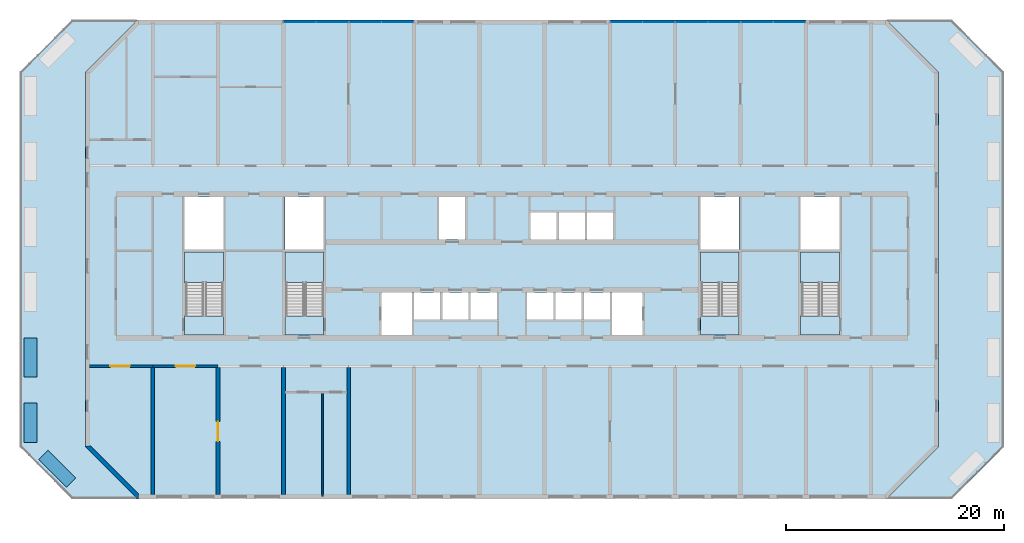
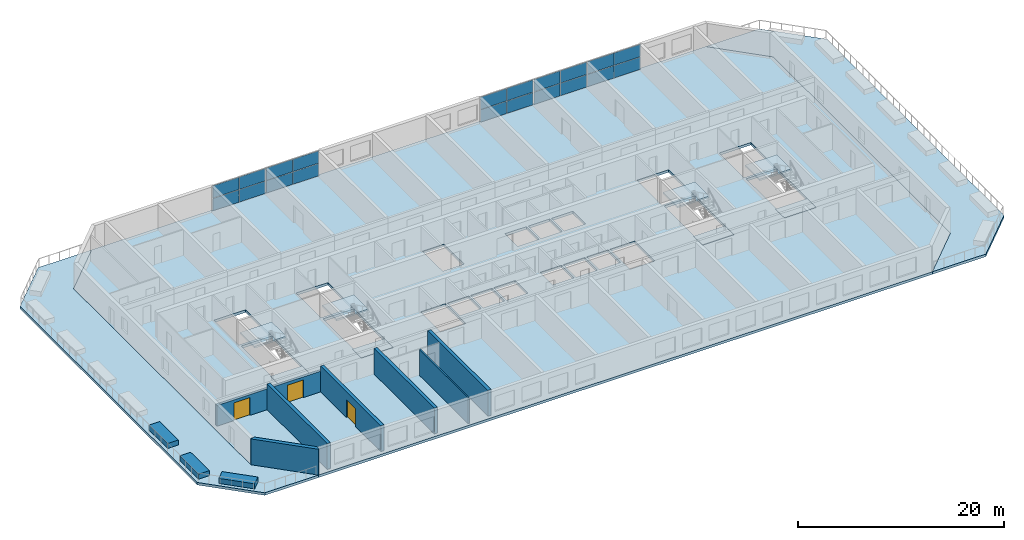
# One storey, part 6 of 18: 20 plates, 11 slabs, 11 walls, 3 doors, 3 openings, 9 elements without a shape of their own.
"""IFC4 building model written with IfcOpenShell, lengths in metres."""

from ifc_helpers import new_model, si_unit, direction, frame, frame_2d, origin, origin_2d, place, context, subcontext, project, spatial, polyline, rectangle, outline, extrude, source, transform, mapped, material, layer, layer_set, type_object, element, fill, aggregate, save


model = new_model("IFC4")

# Units and contexts
model_context = context("Model", 3, precision=1e-05, world=origin(), true_north=direction((0.0, 1.0)))
body_context = subcontext(model_context, "Body", "Model", "MODEL_VIEW")
ifc_project = project(units=[si_unit("LENGTHUNIT", "METRE"), si_unit("AREAUNIT", "SQUARE_METRE"), si_unit("VOLUMEUNIT", "CUBIC_METRE"), si_unit("PLANEANGLEUNIT", "RADIAN"), si_unit("MASSUNIT", "GRAM", prefix="KILO")], contexts=[model_context])

# Site, building, storey
site_placement = place(None, origin())
site = spatial("IfcSite", under=ifc_project, at=site_placement, CompositionType="ELEMENT")
building_placement = place(site_placement, origin())
building = spatial("IfcBuilding", under=site, at=building_placement, Name="Poui Terraces", CompositionType="ELEMENT")
storey_placement = place(building_placement, frame((0.0, 0.0, 105.89990234375)))
storey = spatial("IfcBuildingStorey", under=building, at=storey_placement, Name="L29", CompositionType="ELEMENT", Elevation=105.89990234375)

# Curtain wall, plates
ifc_material_1 = material(Name="Clear glass", Category="glass")
ifc_layer_1 = layer(ifc_material_1, 0.14990234375)
ifc_layer_set_1 = layer_set([ifc_layer_1], Name="Clear glass")
curtain_wall_type = type_object("IfcCurtainWallType", Name="CURTAIN WALL CW-C COMMUNITY HALL GLAZING", PredefinedType="NOTDEFINED", material=ifc_layer_set_1)
curtain_wall_1_placement = place(storey_placement, origin())
curtain_wall_1 = element("IfcCurtainWall", 1, at=curtain_wall_1_placement, inside=storey, type_object=curtain_wall_type, Name="CW-C COMMUNITY HALL GLAZING", PredefinedType="NOTDEFINED")
ifc_layer_2 = layer(ifc_material_1, 0.052001953125)
ifc_layer_set_2 = layer_set([ifc_layer_2], Name="Clear glass")
plate_type = type_object("IfcPlateType", Name="CW-C GLASS PANEL 52", PredefinedType="CURTAIN_PANEL", material=ifc_layer_set_2)
plate_1_placement = place(storey_placement, frame((34.487548828125, 43.60009765625, 0.050048828125), z_axis=(0.0, 0.0, 1.0), x_axis=(-1.0, 0.0, 0.0)))
plate_1 = element("IfcPlate", 2, at=plate_1_placement, type_object=plate_type, Name="CW-C panel 1.1", PredefinedType="CURTAIN_PANEL", context=body_context, shape_type="SweptSolid", body=[
    extrude(rectangle(XDim=2.925048828125, YDim=0.052001953125, at=origin_2d()), origin(), (0.0, 0.0, 1.0), 1.455078125),
])
plate_2_placement = place(storey_placement, frame((34.487548828125, 43.60009765625, 1.55517578125), z_axis=(0.0, 0.0, 1.0), x_axis=(-1.0, 0.0, 0.0)))
plate_2 = element("IfcPlate", 3, at=plate_2_placement, type_object=plate_type, Name="CW-C panel 1.2", PredefinedType="CURTAIN_PANEL", context=body_context, shape_type="SweptSolid", body=[
    extrude(rectangle(XDim=2.925048828125, YDim=0.052001953125, at=origin_2d()), origin(), (0.0, 0.0, 1.0), 1.455078125),
])
plate_3_placement = place(storey_placement, frame((31.512451171875, 43.60009765625, 0.050048828125), z_axis=(0.0, 0.0, 1.0), x_axis=(-1.0, 0.0, 0.0)))
plate_3 = element("IfcPlate", 4, at=plate_3_placement, type_object=plate_type, Name="CW-C panel 2.1", PredefinedType="CURTAIN_PANEL", context=body_context, shape_type="SweptSolid", body=[
    extrude(rectangle(XDim=2.925048828125, YDim=0.052001953125, at=origin_2d()), origin(), (0.0, 0.0, 1.0), 1.455078125),
])
plate_4_placement = place(storey_placement, frame((31.512451171875, 43.60009765625, 1.55517578125), z_axis=(0.0, 0.0, 1.0), x_axis=(-1.0, 0.0, 0.0)))
plate_4 = element("IfcPlate", 5, at=plate_4_placement, type_object=plate_type, Name="CW-C panel 2.2", PredefinedType="CURTAIN_PANEL", context=body_context, shape_type="SweptSolid", body=[
    extrude(rectangle(XDim=2.925048828125, YDim=0.052001953125, at=origin_2d()), origin(), (0.0, 0.0, 1.0), 1.455078125),
])
aggregate(curtain_wall_1, [plate_1, plate_2, plate_3, plate_4])

curtain_wall_2_placement = place(storey_placement, origin())
curtain_wall_2 = element("IfcCurtainWall", 6, at=curtain_wall_2_placement, inside=storey, type_object=curtain_wall_type, Name="CW-C COMMUNITY HALL GLAZING", PredefinedType="NOTDEFINED")
plate_5_placement = place(storey_placement, frame((40.487548828125, 43.60009765625, 0.050048828125), z_axis=(0.0, 0.0, 1.0), x_axis=(-1.0, 0.0, 0.0)))
plate_5 = element("IfcPlate", 7, at=plate_5_placement, type_object=plate_type, Name="CW-C panel 1.1", PredefinedType="CURTAIN_PANEL", context=body_context, shape_type="SweptSolid", body=[
    extrude(rectangle(XDim=2.925048828125, YDim=0.052001953125, at=origin_2d()), origin(), (0.0, 0.0, 1.0), 1.455078125),
])
plate_6_placement = place(storey_placement, frame((40.487548828125, 43.60009765625, 1.55517578125), z_axis=(0.0, 0.0, 1.0), x_axis=(-1.0, 0.0, 0.0)))
plate_6 = element("IfcPlate", 8, at=plate_6_placement, type_object=plate_type, Name="CW-C panel 1.2", PredefinedType="CURTAIN_PANEL", context=body_context, shape_type="SweptSolid", body=[
    extrude(rectangle(XDim=2.925048828125, YDim=0.052001953125, at=origin_2d()), origin(), (0.0, 0.0, 1.0), 1.455078125),
])
plate_7_placement = place(storey_placement, frame((37.512451171875, 43.60009765625, 0.050048828125), z_axis=(0.0, 0.0, 1.0), x_axis=(-1.0, 0.0, 0.0)))
plate_7 = element("IfcPlate", 9, at=plate_7_placement, type_object=plate_type, Name="CW-C panel 2.1", PredefinedType="CURTAIN_PANEL", context=body_context, shape_type="SweptSolid", body=[
    extrude(rectangle(XDim=2.925048828125, YDim=0.052001953125, at=origin_2d()), origin(), (0.0, 0.0, 1.0), 1.455078125),
])
plate_8_placement = place(storey_placement, frame((37.512451171875, 43.60009765625, 1.55517578125), z_axis=(0.0, 0.0, 1.0), x_axis=(-1.0, 0.0, 0.0)))
plate_8 = element("IfcPlate", 10, at=plate_8_placement, type_object=plate_type, Name="CW-C panel 2.2", PredefinedType="CURTAIN_PANEL", context=body_context, shape_type="SweptSolid", body=[
    extrude(rectangle(XDim=2.925048828125, YDim=0.052001953125, at=origin_2d()), origin(), (0.0, 0.0, 1.0), 1.455078125),
])
aggregate(curtain_wall_2, [plate_5, plate_6, plate_7, plate_8])

curtain_wall_3_placement = place(storey_placement, origin())
curtain_wall_3 = element("IfcCurtainWall", 11, at=curtain_wall_3_placement, inside=storey, type_object=curtain_wall_type, Name="CW-C COMMUNITY HALL GLAZING", PredefinedType="NOTDEFINED")
plate_9_placement = place(storey_placement, frame((64.487548828125, 43.60009765625, 0.050048828125), z_axis=(0.0, 0.0, 1.0), x_axis=(-1.0, 0.0, 0.0)))
plate_9 = element("IfcPlate", 12, at=plate_9_placement, type_object=plate_type, Name="CW-C panel 1.1", PredefinedType="CURTAIN_PANEL", context=body_context, shape_type="SweptSolid", body=[
    extrude(rectangle(XDim=2.925048828125, YDim=0.052001953125, at=origin_2d()), origin(), (0.0, 0.0, 1.0), 1.455078125),
])
plate_10_placement = place(storey_placement, frame((64.487548828125, 43.60009765625, 1.55517578125), z_axis=(0.0, 0.0, 1.0), x_axis=(-1.0, 0.0, 0.0)))
plate_10 = element("IfcPlate", 13, at=plate_10_placement, type_object=plate_type, Name="CW-C panel 1.2", PredefinedType="CURTAIN_PANEL", context=body_context, shape_type="SweptSolid", body=[
    extrude(rectangle(XDim=2.925048828125, YDim=0.052001953125, at=origin_2d()), origin(), (0.0, 0.0, 1.0), 1.455078125),
])
plate_11_placement = place(storey_placement, frame((61.512451171875, 43.60009765625, 0.050048828125), z_axis=(0.0, 0.0, 1.0), x_axis=(-1.0, 0.0, 0.0)))
plate_11 = element("IfcPlate", 14, at=plate_11_placement, type_object=plate_type, Name="CW-C panel 2.1", PredefinedType="CURTAIN_PANEL", context=body_context, shape_type="SweptSolid", body=[
    extrude(rectangle(XDim=2.925048828125, YDim=0.052001953125, at=origin_2d()), origin(), (0.0, 0.0, 1.0), 1.455078125),
])
plate_12_placement = place(storey_placement, frame((61.512451171875, 43.60009765625, 1.55517578125), z_axis=(0.0, 0.0, 1.0), x_axis=(-1.0, 0.0, 0.0)))
plate_12 = element("IfcPlate", 15, at=plate_12_placement, type_object=plate_type, Name="CW-C panel 2.2", PredefinedType="CURTAIN_PANEL", context=body_context, shape_type="SweptSolid", body=[
    extrude(rectangle(XDim=2.925048828125, YDim=0.052001953125, at=origin_2d()), origin(), (0.0, 0.0, 1.0), 1.455078125),
])
aggregate(curtain_wall_3, [plate_9, plate_10, plate_11, plate_12])

curtain_wall_4_placement = place(storey_placement, origin())
curtain_wall_4 = element("IfcCurtainWall", 16, at=curtain_wall_4_placement, inside=storey, type_object=curtain_wall_type, Name="CW-C COMMUNITY HALL GLAZING", PredefinedType="NOTDEFINED")
plate_13_placement = place(storey_placement, frame((70.487548828125, 43.60009765625, 0.050048828125), z_axis=(0.0, 0.0, 1.0), x_axis=(-1.0, 0.0, 0.0)))
plate_13 = element("IfcPlate", 17, at=plate_13_placement, type_object=plate_type, Name="CW-C panel 1.1", PredefinedType="CURTAIN_PANEL", context=body_context, shape_type="SweptSolid", body=[
    extrude(rectangle(XDim=2.925048828125, YDim=0.052001953125, at=origin_2d()), origin(), (0.0, 0.0, 1.0), 1.455078125),
])
plate_14_placement = place(storey_placement, frame((70.487548828125, 43.60009765625, 1.55517578125), z_axis=(0.0, 0.0, 1.0), x_axis=(-1.0, 0.0, 0.0)))
plate_14 = element("IfcPlate", 18, at=plate_14_placement, type_object=plate_type, Name="CW-C panel 1.2", PredefinedType="CURTAIN_PANEL", context=body_context, shape_type="SweptSolid", body=[
    extrude(rectangle(XDim=2.925048828125, YDim=0.052001953125, at=origin_2d()), origin(), (0.0, 0.0, 1.0), 1.455078125),
])
plate_15_placement = place(storey_placement, frame((67.512451171875, 43.60009765625, 0.050048828125), z_axis=(0.0, 0.0, 1.0), x_axis=(-1.0, 0.0, 0.0)))
plate_15 = element("IfcPlate", 19, at=plate_15_placement, type_object=plate_type, Name="CW-C panel 2.1", PredefinedType="CURTAIN_PANEL", context=body_context, shape_type="SweptSolid", body=[
    extrude(rectangle(XDim=2.925048828125, YDim=0.052001953125, at=origin_2d()), origin(), (0.0, 0.0, 1.0), 1.455078125),
])
plate_16_placement = place(storey_placement, frame((67.512451171875, 43.60009765625, 1.55517578125), z_axis=(0.0, 0.0, 1.0), x_axis=(-1.0, 0.0, 0.0)))
plate_16 = element("IfcPlate", 20, at=plate_16_placement, type_object=plate_type, Name="CW-C panel 2.2", PredefinedType="CURTAIN_PANEL", context=body_context, shape_type="SweptSolid", body=[
    extrude(rectangle(XDim=2.925048828125, YDim=0.052001953125, at=origin_2d()), origin(), (0.0, 0.0, 1.0), 1.455078125),
])
aggregate(curtain_wall_4, [plate_13, plate_14, plate_15, plate_16])

curtain_wall_5_placement = place(storey_placement, origin())
curtain_wall_5 = element("IfcCurtainWall", 21, at=curtain_wall_5_placement, inside=storey, type_object=curtain_wall_type, Name="CW-C COMMUNITY HALL GLAZING", PredefinedType="NOTDEFINED")
plate_17_placement = place(storey_placement, frame((76.487548828125, 43.60009765625, 0.050048828125), z_axis=(0.0, 0.0, 1.0), x_axis=(-1.0, 0.0, 0.0)))
plate_17 = element("IfcPlate", 22, at=plate_17_placement, type_object=plate_type, Name="CW-C panel 1.1", PredefinedType="CURTAIN_PANEL", context=body_context, shape_type="SweptSolid", body=[
    extrude(rectangle(XDim=2.925048828125, YDim=0.052001953125, at=origin_2d()), origin(), (0.0, 0.0, 1.0), 1.455078125),
])
plate_18_placement = place(storey_placement, frame((76.487548828125, 43.60009765625, 1.55517578125), z_axis=(0.0, 0.0, 1.0), x_axis=(-1.0, 0.0, 0.0)))
plate_18 = element("IfcPlate", 23, at=plate_18_placement, type_object=plate_type, Name="CW-C panel 1.2", PredefinedType="CURTAIN_PANEL", context=body_context, shape_type="SweptSolid", body=[
    extrude(rectangle(XDim=2.925048828125, YDim=0.052001953125, at=origin_2d()), origin(), (0.0, 0.0, 1.0), 1.455078125),
])
plate_19_placement = place(storey_placement, frame((73.512451171875, 43.60009765625, 0.050048828125), z_axis=(0.0, 0.0, 1.0), x_axis=(-1.0, 0.0, 0.0)))
plate_19 = element("IfcPlate", 24, at=plate_19_placement, type_object=plate_type, Name="CW-C panel 2.1", PredefinedType="CURTAIN_PANEL", context=body_context, shape_type="SweptSolid", body=[
    extrude(rectangle(XDim=2.925048828125, YDim=0.052001953125, at=origin_2d()), origin(), (0.0, 0.0, 1.0), 1.455078125),
])
plate_20_placement = place(storey_placement, frame((73.512451171875, 43.60009765625, 1.55517578125), z_axis=(0.0, 0.0, 1.0), x_axis=(-1.0, 0.0, 0.0)))
plate_20 = element("IfcPlate", 25, at=plate_20_placement, type_object=plate_type, Name="CW-C panel 2.2", PredefinedType="CURTAIN_PANEL", context=body_context, shape_type="SweptSolid", body=[
    extrude(rectangle(XDim=2.925048828125, YDim=0.052001953125, at=origin_2d()), origin(), (0.0, 0.0, 1.0), 1.455078125),
])
aggregate(curtain_wall_5, [plate_17, plate_18, plate_19, plate_20])

# Stair, slabs
ifc_material_2 = material(Name="Concrete 65 MPa", Category="concrete")
stair_type = type_object("IfcStairType", Name="EXIT STAIR 1650 65 MPA", PredefinedType="HALF_TURN_STAIR", material=ifc_material_2)
stair_1_placement = place(storey_placement, origin())
stair_1 = element("IfcStair", 26, at=stair_1_placement, inside=storey, type_object=stair_type, Name="L29 CORE STAIR EAST", PredefinedType="HALF_TURN_STAIR")
ifc_layer_3 = layer(ifc_material_2, 0.199951171875)
ifc_layer_set_3 = layer_set([ifc_layer_3], Name="Concrete 65 MPa")
slab_type_1 = type_object("IfcSlabType", Name="STAIR LANDING 200 65 MPA", PredefinedType="LANDING", material=ifc_layer_set_3)
slab_1_placement = place(storey_placement, frame((0.0, 0.0, 1.449951171875)))
slab_1 = element("IfcSlab", 27, at=slab_1_placement, type_object=slab_type_1, Name="ST-CE landing 1", PredefinedType="LANDING", context=body_context, shape_type="SweptSolid", body=[
    extrude(outline(polyline([(68.324951171875, 19.679931640625), (71.875, 19.679931640625), (71.875, 22.47509765625), (68.324951171875, 22.47509765625), (68.324951171875, 19.679931640625)])), origin(), (0.0, 0.0, 1.0), 0.2001953125),
])
slab_2_placement = place(storey_placement, frame((0.0, 0.0, -0.199951171875)))
slab_2 = element("IfcSlab", 28, at=slab_2_placement, type_object=slab_type_1, Name="ST-CE landing 2", PredefinedType="LANDING", context=body_context, shape_type="SweptSolid", body=[
    extrude(outline(polyline([(68.324951171875, 14.85009765625), (71.875, 14.85009765625), (71.875, 16.60009765625), (68.324951171875, 16.60009765625), (68.324951171875, 14.85009765625)])), origin(), (0.0, 0.0, 1.0), 0.199951171875),
])
aggregate(stair_1, [slab_1, slab_2])

stair_2_placement = place(storey_placement, origin())
stair_2 = element("IfcStair", 29, at=stair_2_placement, inside=storey, type_object=stair_type, Name="L29 CORE STAIR WEST", PredefinedType="HALF_TURN_STAIR")
slab_3_placement = place(storey_placement, frame((0.0, 0.0, 1.449951171875)))
slab_3 = element("IfcSlab", 30, at=slab_3_placement, type_object=slab_type_1, Name="ST-CW landing 1", PredefinedType="LANDING", context=body_context, shape_type="SweptSolid", body=[
    extrude(outline(polyline([(30.125, 19.679931640625), (33.675048828125, 19.679931640625), (33.675048828125, 22.47509765625), (30.125, 22.47509765625), (30.125, 19.679931640625)])), origin(), (0.0, 0.0, 1.0), 0.2001953125),
])
slab_4_placement = place(storey_placement, frame((0.0, 0.0, -0.199951171875)))
slab_4 = element("IfcSlab", 31, at=slab_4_placement, type_object=slab_type_1, Name="ST-CW landing 2", PredefinedType="LANDING", context=body_context, shape_type="SweptSolid", body=[
    extrude(outline(polyline([(30.125, 14.85009765625), (33.675048828125, 14.85009765625), (33.675048828125, 16.60009765625), (30.125, 16.60009765625), (30.125, 14.85009765625)])), origin(), (0.0, 0.0, 1.0), 0.199951171875),
])
aggregate(stair_2, [slab_3, slab_4])

stair_3_placement = place(storey_placement, origin())
stair_3 = element("IfcStair", 32, at=stair_3_placement, inside=storey, type_object=stair_type, Name="L29 TIP STAIR EAST", PredefinedType="HALF_TURN_STAIR")
slab_5_placement = place(storey_placement, frame((0.0, 0.0, 1.449951171875)))
slab_5 = element("IfcSlab", 33, at=slab_5_placement, type_object=slab_type_1, Name="ST-E landing 1", PredefinedType="LANDING", context=body_context, shape_type="SweptSolid", body=[
    extrude(outline(polyline([(77.52490234375, 19.679931640625), (81.074951171875, 19.679931640625), (81.074951171875, 22.47509765625), (77.52490234375, 22.47509765625), (77.52490234375, 19.679931640625)])), origin(), (0.0, 0.0, 1.0), 0.2001953125),
])
slab_6_placement = place(storey_placement, frame((0.0, 0.0, -0.199951171875)))
slab_6 = element("IfcSlab", 34, at=slab_6_placement, type_object=slab_type_1, Name="ST-E landing 2", PredefinedType="LANDING", context=body_context, shape_type="SweptSolid", body=[
    extrude(outline(polyline([(77.52490234375, 14.85009765625), (81.074951171875, 14.85009765625), (81.074951171875, 16.60009765625), (77.52490234375, 16.60009765625), (77.52490234375, 14.85009765625)])), origin(), (0.0, 0.0, 1.0), 0.199951171875),
])
aggregate(stair_3, [slab_5, slab_6])

stair_4_placement = place(storey_placement, origin())
stair_4 = element("IfcStair", 35, at=stair_4_placement, inside=storey, type_object=stair_type, Name="L29 TIP STAIR WEST", PredefinedType="HALF_TURN_STAIR")
slab_7_placement = place(storey_placement, frame((0.0, 0.0, 1.449951171875)))
slab_7 = element("IfcSlab", 36, at=slab_7_placement, type_object=slab_type_1, Name="ST-W landing 1", PredefinedType="LANDING", context=body_context, shape_type="SweptSolid", body=[
    extrude(outline(polyline([(20.925048828125, 19.679931640625), (24.47509765625, 19.679931640625), (24.47509765625, 22.47509765625), (20.925048828125, 22.47509765625), (20.925048828125, 19.679931640625)])), origin(), (0.0, 0.0, 1.0), 0.2001953125),
])
slab_8_placement = place(storey_placement, frame((0.0, 0.0, -0.199951171875)))
slab_8 = element("IfcSlab", 37, at=slab_8_placement, type_object=slab_type_1, Name="ST-W landing 2", PredefinedType="LANDING", context=body_context, shape_type="SweptSolid", body=[
    extrude(outline(polyline([(20.925048828125, 14.85009765625), (24.47509765625, 14.85009765625), (24.47509765625, 16.60009765625), (20.925048828125, 16.60009765625), (20.925048828125, 14.85009765625)])), origin(), (0.0, 0.0, 1.0), 0.199951171875),
])
aggregate(stair_4, [slab_7, slab_8])

# Slabs
ifc_material_3 = material(Name="Concrete 40 MPa", Category="concrete")
ifc_layer_4 = layer(ifc_material_3, 0.300048828125)
ifc_layer_set_4 = layer_set([ifc_layer_4], Name="Concrete 40 MPa")
slab_type_2 = type_object("IfcSlabType", Name="FLOOR SLAB 300", PredefinedType="FLOOR", material=ifc_layer_set_4)
shared_shape_1 = source(origin(), body_context, "Body", "SweptSolid", [
    extrude(outline(polyline([(0.0, 0.0), (4.800048828125, -4.800048828125), (73.599853515625, -4.800048828125), (78.39990234375, 0.0), (78.39990234375, 34.39990234375), (73.599853515625, 39.199951171875), (4.800048828125, 39.199951171875), (0.0, 34.39990234375), (0.0, 0.0)]), holes=[polyline([(27.199951171875, 10.25), (27.199951171875, 14.14990234375), (30.0, 14.14990234375), (30.0, 10.25), (27.199951171875, 10.25)]), polyline([(30.199951171875, 11.699951171875), (30.199951171875, 14.14990234375), (32.599853515625, 14.14990234375), (32.599853515625, 11.699951171875), (30.199951171875, 11.699951171875)]), polyline([(32.800048828125, 11.699951171875), (32.800048828125, 14.14990234375), (35.199951171875, 14.14990234375), (35.199951171875, 11.699951171875), (32.800048828125, 11.699951171875)]), polyline([(35.39990234375, 14.14990234375), (37.800048828125, 14.14990234375), (37.800048828125, 11.699951171875), (35.39990234375, 11.699951171875), (35.39990234375, 14.14990234375)]), polyline([(40.599853515625, 14.14990234375), (43.0, 14.14990234375), (43.0, 11.699951171875), (40.599853515625, 11.699951171875), (40.599853515625, 14.14990234375)]), polyline([(9.224853515625, 17.849853515625), (12.675048828125, 17.849853515625), (12.675048828125, 12.0), (12.675048828125, 10.25), (9.125, 10.25), (9.125, 12.0), (9.224853515625, 12.0), (9.224853515625, 17.849853515625)]), polyline([(18.425048828125, 17.849853515625), (21.875, 17.849853515625), (21.875, 12.0), (21.875, 10.25), (18.324951171875, 10.25), (18.324951171875, 12.0), (18.425048828125, 12.0), (18.425048828125, 17.849853515625)]), polyline([(9.125, 18.125), (9.125, 22.949951171875), (12.675048828125, 22.949951171875), (12.675048828125, 18.125), (9.125, 18.125)]), polyline([(18.324951171875, 22.949951171875), (21.875, 22.949951171875), (21.875, 18.125), (18.324951171875, 18.125), (18.324951171875, 22.949951171875)]), polyline([(32.5, 22.949951171875), (34.89990234375, 22.949951171875), (34.89990234375, 19.0498046875), (32.5, 19.0498046875), (32.5, 22.949951171875)]), polyline([(48.39990234375, 10.25), (48.39990234375, 14.14990234375), (51.199951171875, 14.14990234375), (51.199951171875, 10.25), (48.39990234375, 10.25)]), polyline([(43.199951171875, 11.699951171875), (43.199951171875, 14.14990234375), (45.599853515625, 14.14990234375), (45.599853515625, 11.699951171875), (43.199951171875, 11.699951171875)]), polyline([(45.800048828125, 11.699951171875), (45.800048828125, 14.14990234375), (48.199951171875, 14.14990234375), (48.199951171875, 11.699951171875), (45.800048828125, 11.699951171875)]), polyline([(60.074951171875, 17.849853515625), (60.074951171875, 12.0), (60.074951171875, 10.25), (56.52490234375, 10.25), (56.52490234375, 12.0), (56.625, 12.0), (56.625, 17.849853515625), (60.074951171875, 17.849853515625)]), polyline([(69.27490234375, 17.849853515625), (69.27490234375, 12.0), (69.27490234375, 10.25), (65.724853515625, 10.25), (65.724853515625, 12.0), (65.824951171875, 12.0), (65.824951171875, 17.849853515625), (69.27490234375, 17.849853515625)]), polyline([(40.89990234375, 19.0498046875), (40.89990234375, 21.5), (43.300048828125, 21.5), (43.300048828125, 19.0498046875), (40.89990234375, 19.0498046875)]), polyline([(43.5, 19.0498046875), (43.5, 21.5), (45.89990234375, 21.5), (45.89990234375, 19.0498046875), (43.5, 19.0498046875)]), polyline([(46.099853515625, 19.0498046875), (46.099853515625, 21.5), (48.5, 21.5), (48.5, 19.0498046875), (46.099853515625, 19.0498046875)]), polyline([(56.52490234375, 22.949951171875), (60.074951171875, 22.949951171875), (60.074951171875, 18.125), (56.52490234375, 18.125), (56.52490234375, 22.949951171875)]), polyline([(65.724853515625, 22.949951171875), (69.27490234375, 22.949951171875), (69.27490234375, 18.125), (65.724853515625, 18.125), (65.724853515625, 22.949951171875)])]), origin(), (0.0, 0.0, 1.0), 0.300048828125),
])
slab_9_placement = place(storey_placement, frame((11.800048828125, 4.60009765625, -0.300048828125)))
element("IfcSlab", 38, at=slab_9_placement, inside=storey, type_object=slab_type_2, Name="FLOOR SLAB", PredefinedType="FLOOR", context=body_context, shape_type="MappedRepresentation", body=[
    mapped(shared_shape_1, transform((0.0, 0.0, 0.0))),
])
ifc_layer_5 = layer(ifc_material_3, 0.300048828125)
ifc_layer_set_5 = layer_set([ifc_layer_5], Name="Concrete 40 MPa")
slab_type_3 = type_object("IfcSlabType", Name="TIP TERRACE SLAB 300", PredefinedType="FLOOR", material=ifc_layer_set_5)
shared_shape_2 = source(origin(), body_context, "Body", "SweptSolid", [
    extrude(outline(polyline([(0.0, 0.0), (6.0, 0.0), (1.199951171875, 4.800048828125), (1.199951171875, 39.199951171875), (6.0, 44.0), (0.0, 44.0), (-4.800048828125, 39.199951171875), (-4.800048828125, 4.800048828125), (0.0, 0.0)])), origin(), (0.0, 0.0, 1.0), 0.300048828125),
])
slab_10_placement = place(storey_placement, frame((10.60009765625, -0.199951171875, -0.300048828125)))
element("IfcSlab", 39, at=slab_10_placement, inside=storey, type_object=slab_type_3, Name="TIP TERRACE SLAB", PredefinedType="FLOOR", context=body_context, shape_type="MappedRepresentation", body=[
    mapped(shared_shape_2, transform((0.0, 0.0, 0.0))),
])
shared_shape_3 = source(origin(), body_context, "Body", "SweptSolid", [
    extrude(outline(polyline([(0.0, 0.0), (-6.0, 0.0), (-1.199951171875, -4.800048828125), (-1.199951171875, -39.199951171875), (-6.0, -44.0), (0.0, -44.0), (4.800048828125, -39.199951171875), (4.800048828125, -4.800048828125), (0.0, 0.0)])), origin(), (0.0, 0.0, 1.0), 0.300048828125),
])
slab_11_placement = place(storey_placement, frame((91.39990234375, 43.800048828125, -0.300048828125)))
element("IfcSlab", 40, at=slab_11_placement, inside=storey, type_object=slab_type_3, Name="TIP TERRACE SLAB", PredefinedType="FLOOR", context=body_context, shape_type="MappedRepresentation", body=[
    mapped(shared_shape_3, transform((0.0, 0.0, 0.0))),
])

# Wall, opening, door
ifc_layer_6 = layer(ifc_material_2, 0.25)
ifc_layer_set_6 = layer_set([ifc_layer_6], Name="Concrete 65 MPa")
wall_type_1 = type_object("IfcWallType", Name="CORRIDOR WALL 250 65MPa", PredefinedType="SHEAR", material=ifc_layer_set_6)
wall_1_placement = place(storey_placement, frame((12.199951171875, 12.0, 0.0), z_axis=(0.0, 0.0, 1.0), x_axis=(1.0, 0.0, 0.0)))
wall_1 = element("IfcWall", 41, at=wall_1_placement, inside=storey, type_object=wall_type_1, Name="CORRIDOR WALL LINE B BAY 1", PredefinedType="SHEAR", context=body_context, shape_type="SweptSolid", body=[
    extrude(rectangle(XDim=5.800048828125, YDim=0.25, at=frame_2d((2.89990234375, 0.0))), origin(), (0.0, 0.0, 1.0), 2.460205078125),
])
opening_1_placement = place(wall_1_placement, frame((1.89990234375, 0.0, 0.0)))
opening_1 = element("IfcOpeningElement", 42, at=opening_1_placement, cuts=wall_1, Name="Opening DD180", PredefinedType="OPENING", context=body_context, shape_type="SweptSolid", body=[
    extrude(rectangle(XDim=1.800048828125, YDim=2.10009765625, at=frame_2d((0.89990234375, 1.050048828125))), frame((0.0, 0.135009765625, 0.0), z_axis=(0.0, -1.0, 0.0), x_axis=(1.0, 0.0, 0.0)), (0.0, 0.0, 1.0), 0.27001953125),
])
ifc_material_4 = material(Name="Steel fire door", Category="steel")
door_type = type_object("IfcDoorType", Name="DOUBLE INTERNAL DOOR 1800 X 2100", OperationType="DOUBLE_DOOR_SINGLE_SWING", PredefinedType="DOOR", material=ifc_material_4)
door_1_placement = place(opening_1_placement, origin())
door_1 = element("IfcDoor", 43, at=door_1_placement, inside=storey, type_object=door_type, Name="DOUBLE INTERNAL DOOR 031", OperationType="DOUBLE_DOOR_SINGLE_SWING", OverallHeight=2.10009765625, OverallWidth=1.800048828125, PredefinedType="DOOR", context=body_context, shape_type="SweptSolid", body=[
    extrude(rectangle(XDim=1.800048828125, YDim=2.10009765625, at=frame_2d((0.89990234375, 1.050048828125))), frame((0.0, 0.02490234375, 0.0), z_axis=(0.0, -1.0, 0.0), x_axis=(1.0, 0.0, 0.0)), (0.0, 0.0, 1.0), 0.050048828125),
])
fill(opening_1, door_1)

wall_2_placement = place(storey_placement, frame((18.0, 12.0, 0.0), z_axis=(0.0, 0.0, 1.0), x_axis=(1.0, 0.0, 0.0)))
wall_2 = element("IfcWall", 44, at=wall_2_placement, inside=storey, type_object=wall_type_1, Name="CORRIDOR WALL LINE B BAY 2", PredefinedType="SHEAR", context=body_context, shape_type="SweptSolid", body=[
    extrude(rectangle(XDim=6.0, YDim=0.25, at=frame_2d((3.0, 0.0))), origin(), (0.0, 0.0, 1.0), 2.460205078125),
])
opening_2_placement = place(wall_2_placement, frame((2.10009765625, 0.0, 0.0)))
opening_2 = element("IfcOpeningElement", 45, at=opening_2_placement, cuts=wall_2, Name="Opening DD180", PredefinedType="OPENING", context=body_context, shape_type="SweptSolid", body=[
    extrude(rectangle(XDim=1.800048828125, YDim=2.10009765625, at=frame_2d((0.89990234375, 1.050048828125))), frame((0.0, 0.135009765625, 0.0), z_axis=(0.0, -1.0, 0.0), x_axis=(1.0, 0.0, 0.0)), (0.0, 0.0, 1.0), 0.27001953125),
])
door_2_placement = place(opening_2_placement, origin())
door_2 = element("IfcDoor", 46, at=door_2_placement, inside=storey, type_object=door_type, Name="DOUBLE INTERNAL DOOR 033", OperationType="DOUBLE_DOOR_SINGLE_SWING", OverallHeight=2.10009765625, OverallWidth=1.800048828125, PredefinedType="DOOR", context=body_context, shape_type="SweptSolid", body=[
    extrude(rectangle(XDim=1.800048828125, YDim=2.10009765625, at=frame_2d((0.89990234375, 1.050048828125))), frame((0.0, 0.02490234375, 0.0), z_axis=(0.0, -1.0, 0.0), x_axis=(1.0, 0.0, 0.0)), (0.0, 0.0, 1.0), 0.050048828125),
])
fill(opening_2, door_2)

# Wall
ifc_layer_7 = layer(ifc_material_2, 0.35009765625)
ifc_layer_set_7 = layer_set([ifc_layer_7], Name="Concrete 65 MPa")
wall_type_2 = type_object("IfcWallType", Name="CROSS WALL 350 65MPa", PredefinedType="SHEAR", material=ifc_layer_set_7)
wall_3_placement = place(storey_placement, frame((18.0, 0.199951171875, 0.0), z_axis=(0.0, 0.0, 1.0), x_axis=(0.0, 1.0, 0.0)))
element("IfcWall", 47, at=wall_3_placement, inside=storey, type_object=wall_type_2, Name="CROSS WALL LINE 4 SOUTH", PredefinedType="SHEAR", context=body_context, shape_type="SweptSolid", body=[
    extrude(rectangle(XDim=11.675048828125, YDim=0.35009765625, at=frame_2d((5.83740234375, 0.0))), origin(), (0.0, 0.0, 1.0), 3.06005859375),
])

# Wall, opening, door
wall_4_placement = place(storey_placement, frame((24.0, 0.199951171875, 0.0), z_axis=(0.0, 0.0, 1.0), x_axis=(0.0, 1.0, 0.0)))
wall_4 = element("IfcWall", 48, at=wall_4_placement, inside=storey, type_object=wall_type_2, Name="CROSS WALL LINE 5 SOUTH", PredefinedType="SHEAR", context=body_context, shape_type="SweptSolid", body=[
    extrude(rectangle(XDim=11.675048828125, YDim=0.35009765625, at=frame_2d((5.83740234375, 0.0))), origin(), (0.0, 0.0, 1.0), 3.06005859375),
])
opening_3_placement = place(wall_4_placement, frame((4.89990234375, 0.0, 0.0)))
opening_3 = element("IfcOpeningElement", 49, at=opening_3_placement, cuts=wall_4, Name="Opening DD180", PredefinedType="OPENING", context=body_context, shape_type="SweptSolid", body=[
    extrude(rectangle(XDim=1.800048828125, YDim=2.10009765625, at=frame_2d((0.89990234375, 1.050048828125))), frame((0.0, 0.18505859375, 0.0), z_axis=(0.0, -1.0, 0.0), x_axis=(1.0, 0.0, 0.0)), (0.0, 0.0, 1.0), 0.3701171875),
])
door_3_placement = place(opening_3_placement, origin())
door_3 = element("IfcDoor", 50, at=door_3_placement, inside=storey, type_object=door_type, Name="DOUBLE INTERNAL DOOR 066", OperationType="DOUBLE_DOOR_SINGLE_SWING", OverallHeight=2.10009765625, OverallWidth=1.800048828125, PredefinedType="DOOR", context=body_context, shape_type="SweptSolid", body=[
    extrude(rectangle(XDim=1.800048828125, YDim=2.10009765625, at=frame_2d((0.89990234375, 1.050048828125))), frame((0.0, 0.02490234375, 0.0), z_axis=(0.0, -1.0, 0.0), x_axis=(1.0, 0.0, 0.0)), (0.0, 0.0, 1.0), 0.050048828125),
])
fill(opening_3, door_3)

# Walls
for number, where, z_axis, x_axis, name in (
    (51, (30.0, 0.199951171875, 0.0), (0.0, 0.0, 1.0), (0.0, 1.0, 0.0), "CROSS WALL LINE 6 SOUTH"),
    (52, (36.0, 0.199951171875, 0.0), (0.0, 0.0, 1.0), (0.0, 1.0, 0.0), "CROSS WALL LINE 7 SOUTH"),
):
    element("IfcWall", number, at=place(storey_placement, frame(where, z_axis=z_axis, x_axis=x_axis)), inside=storey, type_object=wall_type_2, Name=name, PredefinedType="SHEAR", context=body_context, shape_type="SweptSolid", body=[
        extrude(rectangle(XDim=11.675048828125, YDim=0.35009765625, at=frame_2d((5.83740234375, 0.0))), origin(), (0.0, 0.0, 1.0), 3.06005859375),
    ])
ifc_material_5 = material(Name="Plasterboard partition")
ifc_layer_8 = layer(ifc_material_5, 0.14990234375)
ifc_layer_set_8 = layer_set([ifc_layer_8], Name="Plasterboard partition")
wall_type_3 = type_object("IfcWallType", Name="PARTITION WALL 150", PredefinedType="PARTITIONING", material=ifc_layer_set_8)
wall_5_placement = place(storey_placement, frame((33.60009765625, 0.06005859375, 0.0), z_axis=(0.0, 0.0, 1.0), x_axis=(0.0, 1.0, 0.0)))
element("IfcWall", 53, at=wall_5_placement, inside=storey, type_object=wall_type_3, Name="PARTITION WALL 150", PredefinedType="PARTITIONING", context=body_context, shape_type="SweptSolid", body=[
    extrude(rectangle(XDim=9.46484375, YDim=0.14990234375, at=frame_2d((4.732421875, 0.0))), origin(), (0.0, 0.0, 1.0), 3.06005859375),
])
ifc_material_6 = material(Name="Precast concrete 40 MPa", Category="concrete")
ifc_layer_9 = layer(ifc_material_6, 0.39990234375)
ifc_layer_set_9 = layer_set([ifc_layer_9], Name="Precast concrete 40 MPa")
wall_type_4 = type_object("IfcWallType", Name="TERRACOTTA CLAD CHAMFER WALL 400", PredefinedType="STANDARD", material=ifc_layer_set_9)
wall_6_placement = place(storey_placement, origin())
element("IfcWall", 54, at=wall_6_placement, inside=storey, type_object=wall_type_4, Name="CHAMFER WALL CH07", PredefinedType="STANDARD", context=body_context, shape_type="SweptSolid", body=[
    extrude(outline(polyline([(11.800048828125, 4.682861328125), (11.800048828125, 4.60009765625), (16.60009765625, -0.199951171875), (16.682861328125, -0.199951171875), (16.682861328125, 0.28271484375), (12.28271484375, 4.682861328125), (11.800048828125, 4.682861328125)])), origin(), (0.0, 0.0, 1.0), 3.06005859375),
])
ifc_layer_10 = layer(ifc_material_6, 1.199951171875)
ifc_layer_set_10 = layer_set([ifc_layer_10], Name="Precast concrete 40 MPa")
wall_type_5 = type_object("IfcWallType", Name="PLANTER 600", PredefinedType="USERDEFINED", material=ifc_layer_set_10)
shared_shape_4 = source(origin(), body_context, "Body", "SweptSolid", [
    extrude(outline(polyline([(0.0, 0.0), (2.545654296875, -2.545654296875), (3.39404296875, -1.697021484375), (0.8486328125, 0.848388671875), (0.0, 0.0)])), origin(), (0.0, 0.0, 1.0), 0.60009765625),
])
wall_7_placement = place(storey_placement, frame((7.52978515625, 3.40771484375, 0.0)))
element("IfcWall", 55, at=wall_7_placement, inside=storey, type_object=wall_type_5, Name="PLANTER", ObjectType="PLANTER", PredefinedType="USERDEFINED", context=body_context, shape_type="MappedRepresentation", body=[
    mapped(shared_shape_4, transform((0.0, 0.0, 0.0))),
])
shared_shape_5 = source(origin(), body_context, "Body", "SweptSolid", [
    extrude(outline(polyline([(0.0, 0.0), (1.199951171875, 0.0), (1.199951171875, 3.60009765625), (0.0, 3.60009765625), (0.0, 0.0)])), origin(), (0.0, 0.0, 1.0), 0.60009765625),
])
for number, where, name in (
    (56, (6.179931640625, 5.0, 0.0), "PLANTER"),
    (57, (6.179931640625, 11.0, 0.0), "PLANTER"),
):
    element("IfcWall", number, at=place(storey_placement, frame(where)), inside=storey, type_object=wall_type_5, Name=name, ObjectType="PLANTER", PredefinedType="USERDEFINED", context=body_context, shape_type="MappedRepresentation", body=[
        mapped(shared_shape_5, transform((0.0, 0.0, 0.0))),
    ])

save(model, "model.ifc")
